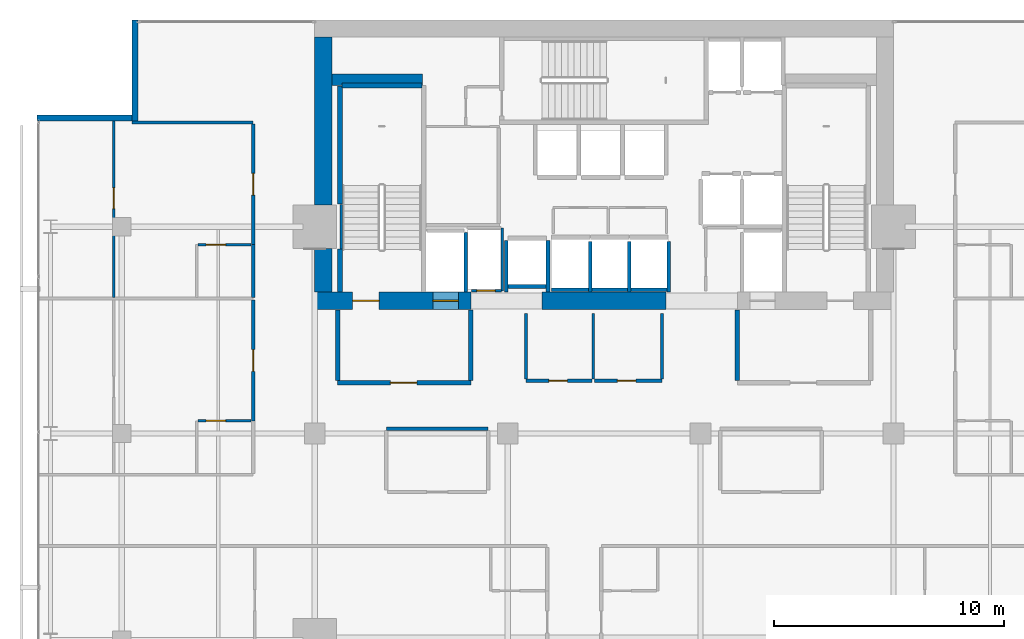
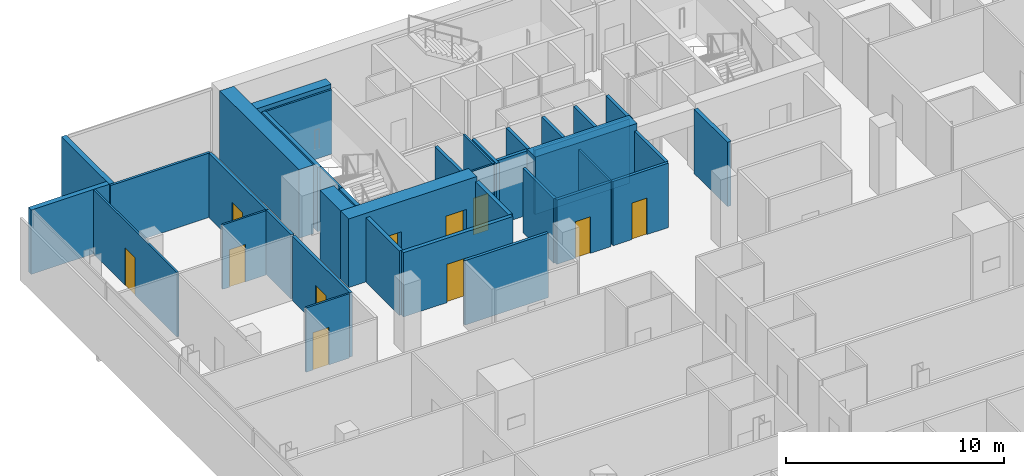
# One storey, part 29 of 34: 38 walls, 11 doors, 11 openings.
"""IFC4 building model written with IfcOpenShell, lengths in metres."""

from ifc_helpers import new_model, si_unit, direction, frame, frame_2d, origin, place, context, subcontext, project, spatial, rectangle, extrude, material, layer, layer_set, type_object, element, fill, save


model = new_model("IFC4")

# Units and contexts
model_context = context("Model", 3, precision=1e-05, world=origin(), true_north=direction((0.0, 1.0)))
body_context = subcontext(model_context, "Body", "Model", "MODEL_VIEW")
ifc_project = project(units=[si_unit("LENGTHUNIT", "METRE"), si_unit("AREAUNIT", "SQUARE_METRE"), si_unit("VOLUMEUNIT", "CUBIC_METRE"), si_unit("PLANEANGLEUNIT", "RADIAN"), si_unit("MASSUNIT", "GRAM", prefix="KILO")], contexts=[model_context])

# Site, building, storey
site_placement = place(None, origin())
site = spatial("IfcSite", under=ifc_project, at=site_placement, CompositionType="ELEMENT")
building_placement = place(site_placement, origin())
building = spatial("IfcBuilding", under=site, at=building_placement, Name="Maruvema Waterfront Hotel and Observation Tower", CompositionType="ELEMENT")
storey_placement = place(building_placement, frame((0.0, 0.0, 146.64990234375)))
storey = spatial("IfcBuildingStorey", under=building, at=storey_placement, Name="L35", CompositionType="ELEMENT", Elevation=146.64990234375)

# Wall, opening, door
ifc_material_1 = material(Name="Twin-stud acoustic gypsum drywall", Category="gypsum")
ifc_layer_1 = layer(ifc_material_1, 0.14990234375, Name="Acoustic Corridor and Suite Demising Wall 150 mm")
ifc_layer_set_1 = layer_set([ifc_layer_1], Name="Twin-stud acoustic gypsum drywall")
wall_type_1 = type_object("IfcWallType", Name="Acoustic Corridor and Suite Demising Wall 150 mm", PredefinedType="PARTITIONING", material=ifc_layer_set_1)
wall_1_placement = place(storey_placement, frame((34.39990234375, 38.300048828125, 0.0), z_axis=(0.0, 0.0, 1.0), x_axis=(1.0, 0.0, 0.0)))
wall_1 = element("IfcWall", 1, at=wall_1_placement, inside=storey, type_object=wall_type_1, Name="L35 Core Apron K2A South 022", PredefinedType="PARTITIONING", context=body_context, shape_type="SweptSolid", body=[
    extrude(rectangle(XDim=2.880126953125, YDim=0.14990234375, at=frame_2d((1.43994140625, 0.0))), origin(), (0.0, 0.0, 1.0), 3.610107421875),
])
opening_1_placement = place(wall_1_placement, frame((1.0, 0.0, 0.0)))
opening_1 = element("IfcOpeningElement", 2, at=opening_1_placement, cuts=wall_1, Name="Opening DR-080", PredefinedType="OPENING", context=body_context, shape_type="SweptSolid", body=[
    extrude(rectangle(XDim=0.800048828125, YDim=2.050048828125, at=frame_2d((0.39990234375, 1.02490234375))), frame((0.0, 0.0849609375, 0.0), z_axis=(0.0, -1.0, 0.0), x_axis=(1.0, 0.0, 0.0)), (0.0, 0.0, 1.0), 0.169921875),
])
ifc_material_2 = material(Name="Powder-coated steel access leaf", Category="steel")
door_type_1 = type_object("IfcDoorType", Name="Riser and Service Cupboard Door 800x2050 mm", OperationType="NOTDEFINED", PredefinedType="DOOR", material=ifc_material_2)
door_1_placement = place(opening_1_placement, frame((0.800048828125, 0.0, 0.0), z_axis=(0.0, 0.0, 1.0), x_axis=(-1.0, 0.0, 0.0)))
door_1 = element("IfcDoor", 3, at=door_1_placement, inside=storey, type_object=door_type_1, Name="L35 Core Ice Alcove Door", OperationType="SINGLE_SWING_RIGHT", OverallHeight=2.050048828125, OverallWidth=0.800048828125, PredefinedType="DOOR", context=body_context, shape_type="SweptSolid", body=[
    extrude(rectangle(XDim=0.800048828125, YDim=2.050048828125, at=frame_2d((0.39990234375, 1.02490234375))), frame((0.0, 0.02490234375, 0.0), z_axis=(0.0, -1.0, 0.0), x_axis=(1.0, 0.0, 0.0)), (0.0, 0.0, 1.0), 0.050048828125),
])
fill(opening_1, door_1)

wall_2_placement = place(storey_placement, frame((37.3798828125, 38.300048828125, 0.0), z_axis=(0.0, 0.0, 1.0), x_axis=(1.0, 0.0, 0.0)))
wall_2 = element("IfcWall", 4, at=wall_2_placement, inside=storey, type_object=wall_type_1, Name="L35 Core Apron K2B South 023", PredefinedType="PARTITIONING", context=body_context, shape_type="SweptSolid", body=[
    extrude(rectangle(XDim=2.940185546875, YDim=0.14990234375, at=frame_2d((1.47021484375, 0.0))), origin(), (0.0, 0.0, 1.0), 3.610107421875),
])
opening_2_placement = place(wall_2_placement, frame((1.0, 0.0, 0.0)))
opening_2 = element("IfcOpeningElement", 5, at=opening_2_placement, cuts=wall_2, Name="Opening DR-080", PredefinedType="OPENING", context=body_context, shape_type="SweptSolid", body=[
    extrude(rectangle(XDim=0.800048828125, YDim=2.050048828125, at=frame_2d((0.39990234375, 1.02490234375))), frame((0.0, 0.0849609375, 0.0), z_axis=(0.0, -1.0, 0.0), x_axis=(1.0, 0.0, 0.0)), (0.0, 0.0, 1.0), 0.169921875),
])
door_2_placement = place(opening_2_placement, frame((0.800048828125, 0.0, 0.0), z_axis=(0.0, 0.0, 1.0), x_axis=(-1.0, 0.0, 0.0)))
door_2 = element("IfcDoor", 6, at=door_2_placement, inside=storey, type_object=door_type_1, Name="L35 Core Valet Closet Door", OperationType="SINGLE_SWING_LEFT", OverallHeight=2.050048828125, OverallWidth=0.800048828125, PredefinedType="DOOR", context=body_context, shape_type="SweptSolid", body=[
    extrude(rectangle(XDim=0.800048828125, YDim=2.050048828125, at=frame_2d((0.39990234375, 1.02490234375))), frame((0.0, 0.02490234375, 0.0), z_axis=(0.0, -1.0, 0.0), x_axis=(1.0, 0.0, 0.0)), (0.0, 0.0, 1.0), 0.050048828125),
])
fill(opening_2, door_2)

# Walls
for number, where, z_axis, x_axis, name in (
    (7, (34.39990234375, 38.3798828125, 0.0), (0.0, 0.0, 1.0), (0.0, 1.0, 0.0), "L35 Core Apron K2 West 024"),
    (8, (40.320068359375, 38.3798828125, 0.0), (0.0, 0.0, 1.0), (0.0, 1.0, 0.0), "L35 Core Apron K2 East 026"),
):
    element("IfcWall", number, at=place(storey_placement, frame(where, z_axis=z_axis, x_axis=x_axis)), inside=storey, type_object=wall_type_1, Name=name, PredefinedType="PARTITIONING", context=body_context, shape_type="SweptSolid", body=[
        extrude(rectangle(XDim=2.840087890625, YDim=0.14990234375, at=frame_2d((1.419921875, 0.0))), origin(), (0.0, 0.0, 1.0), 3.610107421875),
    ])
wall_3_placement = place(storey_placement, frame((28.320068359375, 36.199951171875, 0.0), z_axis=(0.0, 0.0, 1.0), x_axis=(1.0, 0.0, 0.0)))
element("IfcWall", 9, at=wall_3_placement, inside=storey, type_object=wall_type_1, Name="L35 L35-M1 Back Wall 027", PredefinedType="PARTITIONING", context=body_context, shape_type="SweptSolid", body=[
    extrude(rectangle(XDim=4.429931640625, YDim=0.14990234375, at=frame_2d((2.21484375, 0.0))), origin(), (0.0, 0.0, 1.0), 3.610107421875),
])

# Wall, opening, door
wall_4_placement = place(storey_placement, frame((22.52001953125, 36.550048828125, 0.0), z_axis=(0.0, 0.0, 1.0), x_axis=(0.0, 1.0, 0.0)))
wall_4 = element("IfcWall", 10, at=wall_4_placement, inside=storey, type_object=wall_type_1, Name="L35 Room L35-NW1 Corridor Wall 107", PredefinedType="PARTITIONING", context=body_context, shape_type="SweptSolid", body=[
    extrude(rectangle(XDim=5.2587890625, YDim=0.14990234375, at=frame_2d((2.62939453125, 0.0))), origin(), (0.0, 0.0, 1.0), 3.610107421875),
])
opening_3_placement = place(wall_4_placement, frame((2.154296875, 0.0, 0.0)))
opening_3 = element("IfcOpeningElement", 11, at=opening_3_placement, cuts=wall_4, Name="Opening DR-095", PredefinedType="OPENING", context=body_context, shape_type="SweptSolid", body=[
    extrude(rectangle(XDim=0.949951171875, YDim=2.14990234375, at=frame_2d((0.47509765625, 1.074951171875))), frame((0.0, 0.0849609375, 0.0), z_axis=(0.0, -1.0, 0.0), x_axis=(1.0, 0.0, 0.0)), (0.0, 0.0, 1.0), 0.169921875),
])
ifc_material_3 = material(Name="Acoustic solid-core hardwood timber leaf", Category="wood")
door_type_2 = type_object("IfcDoorType", Name="Guestroom Entrance Fire Door 950x2150 mm", OperationType="NOTDEFINED", PredefinedType="DOOR", material=ifc_material_3)
door_3_placement = place(opening_3_placement, origin())
door_3 = element("IfcDoor", 12, at=door_3_placement, inside=storey, type_object=door_type_2, Name="L35 Room L35-NW1 Entrance Door", OperationType="SINGLE_SWING_LEFT", OverallHeight=2.14990234375, OverallWidth=0.949951171875, PredefinedType="DOOR", context=body_context, shape_type="SweptSolid", body=[
    extrude(rectangle(XDim=0.949951171875, YDim=2.14990234375, at=frame_2d((0.47509765625, 1.074951171875))), frame((0.0, 0.02490234375, 0.0), z_axis=(0.0, -1.0, 0.0), x_axis=(1.0, 0.0, 0.0)), (0.0, 0.0, 1.0), 0.050048828125),
])
fill(opening_3, door_3)

# Wall
wall_5_placement = place(storey_placement, frame((22.52001953125, 41.9287109375, 0.0), z_axis=(0.0, 0.0, 1.0), x_axis=(0.0, 1.0, 0.0)))
element("IfcWall", 13, at=wall_5_placement, inside=storey, type_object=wall_type_1, Name="L35 Bath L35-NW2 Wall 118", PredefinedType="PARTITIONING", context=body_context, shape_type="SweptSolid", body=[
    extrude(rectangle(XDim=2.2900390625, YDim=0.14990234375, at=frame_2d((1.14501953125, 0.0))), origin(), (0.0, 0.0, 1.0), 3.610107421875),
])

# Wall, opening, door
wall_6_placement = place(storey_placement, frame((22.52001953125, 44.21875, 0.0), z_axis=(0.0, 0.0, 1.0), x_axis=(0.0, 1.0, 0.0)))
wall_6 = element("IfcWall", 14, at=wall_6_placement, inside=storey, type_object=wall_type_1, Name="L35 Room L35-NW2 Corridor Wall 119", PredefinedType="PARTITIONING", context=body_context, shape_type="SweptSolid", body=[
    extrude(rectangle(XDim=5.2587890625, YDim=0.14990234375, at=frame_2d((2.62939453125, 0.0))), origin(), (0.0, 0.0, 1.0), 3.610107421875),
])
opening_4_placement = place(wall_6_placement, frame((2.154296875, 0.0, 0.0)))
opening_4 = element("IfcOpeningElement", 15, at=opening_4_placement, cuts=wall_6, Name="Opening DR-095", PredefinedType="OPENING", context=body_context, shape_type="SweptSolid", body=[
    extrude(rectangle(XDim=0.949951171875, YDim=2.14990234375, at=frame_2d((0.47509765625, 1.074951171875))), frame((0.0, 0.0849609375, 0.0), z_axis=(0.0, -1.0, 0.0), x_axis=(1.0, 0.0, 0.0)), (0.0, 0.0, 1.0), 0.169921875),
])
door_4_placement = place(opening_4_placement, origin())
door_4 = element("IfcDoor", 16, at=door_4_placement, inside=storey, type_object=door_type_2, Name="L35 Room L35-NW2 Entrance Door", OperationType="SINGLE_SWING_LEFT", OverallHeight=2.14990234375, OverallWidth=0.949951171875, PredefinedType="DOOR", context=body_context, shape_type="SweptSolid", body=[
    extrude(rectangle(XDim=0.949951171875, YDim=2.14990234375, at=frame_2d((0.47509765625, 1.074951171875))), frame((0.0, 0.02490234375, 0.0), z_axis=(0.0, -1.0, 0.0), x_axis=(1.0, 0.0, 0.0)), (0.0, 0.0, 1.0), 0.050048828125),
])
fill(opening_4, door_4)

# Walls
ifc_material_4 = material(Name="Precast concrete C45/55", Category="concrete")
ifc_layer_2 = layer(ifc_material_4, 0.199951171875, Name="Core Shaft and Stairwell Enclosure Wall 200 mm")
ifc_layer_set_2 = layer_set([ifc_layer_2], Name="Precast concrete C45/55")
wall_type_2 = type_object("IfcWallType", Name="Core Shaft and Stairwell Enclosure Wall 200 mm", PredefinedType="SOLIDWALL", material=ifc_layer_set_2)
wall_7_placement = place(storey_placement, frame((26.300048828125, 42.14990234375, 0.0), z_axis=(0.0, 0.0, 1.0), x_axis=(0.0, 1.0, 0.0)))
element("IfcWall", 17, at=wall_7_placement, inside=storey, type_object=wall_type_2, Name="L35 Stairwell ST-01 Shaft Lining Wall", PredefinedType="SOLIDWALL", context=body_context, shape_type="SweptSolid", body=[
    extrude(rectangle(XDim=1.8701171875, YDim=0.199951171875, at=frame_2d((0.93505859375, 0.0))), origin(), (0.0, 0.0, 1.0), 3.610107421875),
])
wall_8_placement = place(storey_placement, frame((26.300048828125, 45.97998046875, 0.0), z_axis=(0.0, 0.0, 1.0), x_axis=(0.0, 1.0, 0.0)))
element("IfcWall", 18, at=wall_8_placement, inside=storey, type_object=wall_type_2, Name="L35 Stairwell ST-01 Shaft Lining Wall", PredefinedType="SOLIDWALL", context=body_context, shape_type="SweptSolid", body=[
    extrude(rectangle(XDim=5.14013671875, YDim=0.199951171875, at=frame_2d((2.570068359375, 0.0))), origin(), (0.0, 0.0, 1.0), 3.610107421875),
])
wall_9_placement = place(storey_placement, frame((26.3798828125, 51.14990234375, 0.0), z_axis=(0.0, 0.0, 1.0), x_axis=(1.0, 0.0, 0.0)))
element("IfcWall", 19, at=wall_9_placement, inside=storey, type_object=wall_type_2, Name="L35 Stairwell ST-01 Shaft Lining Wall", PredefinedType="SOLIDWALL", context=body_context, shape_type="SweptSolid", body=[
    extrude(rectangle(XDim=3.5, YDim=0.199951171875, at=frame_2d((1.75, 0.0))), origin(), (0.0, 0.0, 1.0), 3.610107421875),
])
ifc_material_5 = material(Name="Concrete C70/85", Category="concrete")
ifc_layer_3 = layer(ifc_material_5, 0.5, Name="Core Shear Wall 500 mm")
ifc_layer_set_3 = layer_set([ifc_layer_3], Name="Concrete C70/85")
wall_type_3 = type_object("IfcWallType", Name="Core Shear Wall 500 mm", PredefinedType="SHEAR", material=ifc_layer_set_3)
wall_10_placement = place(storey_placement, frame((25.949951171875, 51.39990234375, 0.0), z_axis=(0.0, 0.0, 1.0), x_axis=(1.0, 0.0, 0.0)))
element("IfcWall", 20, at=wall_10_placement, inside=storey, type_object=wall_type_3, Name="L35 Internal Core Shear Wall NW 500 mm", PredefinedType="SHEAR", context=body_context, shape_type="SweptSolid", body=[
    extrude(rectangle(XDim=3.949951171875, YDim=0.5, at=frame_2d((1.97509765625, 0.0))), origin(), (0.0, 0.0, 1.0), 3.85009765625),
])

# Wall, openings, doors
ifc_material_6 = material(Name="Concrete C70/85", Category="concrete")
ifc_layer_4 = layer(ifc_material_6, 0.75, Name="Core Shear Wall 750 mm")
ifc_layer_set_4 = layer_set([ifc_layer_4], Name="Concrete C70/85")
wall_type_4 = type_object("IfcWallType", Name="Core Shear Wall 750 mm", PredefinedType="SHEAR", material=ifc_layer_set_4)
wall_11_placement = place(storey_placement, frame((25.199951171875, 41.77490234375, 0.0), z_axis=(0.0, 0.0, 1.0), x_axis=(1.0, 0.0, 0.0)))
wall_11 = element("IfcWall", 21, at=wall_11_placement, inside=storey, type_object=wall_type_4, Name="L35 South-West Core Shear Wall", PredefinedType="SHEAR", context=body_context, shape_type="SweptSolid", body=[
    extrude(rectangle(XDim=6.800048828125, YDim=0.75, at=frame_2d((3.39990234375, 0.0))), origin(), (0.0, 0.0, 1.0), 3.85009765625),
])
opening_5_placement = place(wall_11_placement, frame((1.64990234375, 0.0, 0.0)))
opening_5 = element("IfcOpeningElement", 22, at=opening_5_placement, cuts=wall_11, Name="Opening SD-01", PredefinedType="OPENING", context=body_context, shape_type="SweptSolid", body=[
    extrude(rectangle(XDim=1.14990234375, YDim=2.14990234375, at=frame_2d((0.574951171875, 1.074951171875))), frame((0.0, 0.385009765625, 0.0), z_axis=(0.0, -1.0, 0.0), x_axis=(1.0, 0.0, 0.0)), (0.0, 0.0, 1.0), 0.77001953125),
])
opening_6_placement = place(wall_11_placement, frame((5.14990234375, 0.0, 0.0)))
opening_6 = element("IfcOpeningElement", 23, at=opening_6_placement, cuts=wall_11, Name="Opening LD-03", PredefinedType="OPENING", context=body_context, shape_type="SweptSolid", body=[
    extrude(rectangle(XDim=1.10009765625, YDim=2.199951171875, at=frame_2d((0.550048828125, 1.10009765625))), frame((0.0, 0.385009765625, 0.0), z_axis=(0.0, -1.0, 0.0), x_axis=(1.0, 0.0, 0.0)), (0.0, 0.0, 1.0), 0.77001953125),
])
ifc_material_7 = material(Name="Fire-rated galvanised steel leaf", Category="steel")
door_type_3 = type_object("IfcDoorType", Name="Exit Stair Fire Door 1150x2150 mm", OperationType="NOTDEFINED", PredefinedType="DOOR", material=ifc_material_7)
door_5_placement = place(opening_5_placement, origin())
door_5 = element("IfcDoor", 24, at=door_5_placement, inside=storey, type_object=door_type_3, Name="L35 Exit Stair ST-01 Fire Door", OperationType="SINGLE_SWING_LEFT", OverallHeight=2.14990234375, OverallWidth=1.14990234375, PredefinedType="DOOR", context=body_context, shape_type="SweptSolid", body=[
    extrude(rectangle(XDim=1.14990234375, YDim=2.14990234375, at=frame_2d((0.574951171875, 1.074951171875))), frame((0.0, 0.02490234375, 0.0), z_axis=(0.0, -1.0, 0.0), x_axis=(1.0, 0.0, 0.0)), (0.0, 0.0, 1.0), 0.050048828125),
])
fill(opening_5, door_5)
ifc_material_8 = material(Name="Brushed stainless steel Grade 316", Category="steel")
door_type_4 = type_object("IfcDoorType", Name="Firefighting Lift Sliding Landing Door 1100x2200 mm", OperationType="SLIDING_TO_LEFT", PredefinedType="DOOR", material=ifc_material_8)
door_6_placement = place(opening_6_placement, frame((1.10009765625, 0.0, 0.0), z_axis=(0.0, 0.0, 1.0), x_axis=(-1.0, 0.0, 0.0)))
door_6 = element("IfcDoor", 25, at=door_6_placement, inside=storey, type_object=door_type_4, Name="L35 Firefighting Lift FL-01 Landing Door", OperationType="SLIDING_TO_LEFT", OverallHeight=2.199951171875, OverallWidth=1.10009765625, PredefinedType="DOOR", context=body_context, shape_type="SweptSolid", body=[
    extrude(rectangle(XDim=1.10009765625, YDim=2.199951171875, at=frame_2d((0.550048828125, 1.10009765625))), frame((0.0, 0.02490234375, 0.0), z_axis=(0.0, -1.0, 0.0), x_axis=(1.0, 0.0, 0.0)), (0.0, 0.0, 1.0), 0.050048828125),
])
fill(opening_6, door_6)

# Walls
wall_12_placement = place(storey_placement, frame((35.10009765625, 41.77490234375, 0.0), z_axis=(0.0, 0.0, 1.0), x_axis=(1.0, 0.0, 0.0)))
element("IfcWall", 26, at=wall_12_placement, inside=storey, type_object=wall_type_4, Name="L35 South-Central Core Shear Wall", PredefinedType="SHEAR", context=body_context, shape_type="SweptSolid", body=[
    extrude(rectangle(XDim=5.39990234375, YDim=0.75, at=frame_2d((2.699951171875, 0.0))), origin(), (0.0, 0.0, 1.0), 3.85009765625),
])
wall_13_placement = place(storey_placement, frame((25.574951171875, 42.14990234375, 0.0), z_axis=(0.0, 0.0, 1.0), x_axis=(0.0, 1.0, 0.0)))
element("IfcWall", 27, at=wall_13_placement, inside=storey, type_object=wall_type_4, Name="L35 West-South Core Shear Wall", PredefinedType="SHEAR", context=body_context, shape_type="SweptSolid", body=[
    extrude(rectangle(XDim=1.900146484375, YDim=0.75, at=frame_2d((0.9501953125, 0.0))), origin(), (0.0, 0.0, 1.0), 3.85009765625),
])
wall_14_placement = place(storey_placement, frame((25.574951171875, 45.949951171875, 0.0), z_axis=(0.0, 0.0, 1.0), x_axis=(0.0, 1.0, 0.0)))
element("IfcWall", 28, at=wall_14_placement, inside=storey, type_object=wall_type_4, Name="L35 West-North Core Shear Wall", PredefinedType="SHEAR", context=body_context, shape_type="SweptSolid", body=[
    extrude(rectangle(XDim=7.300048828125, YDim=0.75, at=frame_2d((3.64990234375, 0.0))), origin(), (0.0, 0.0, 1.0), 3.85009765625),
])

# Wall, opening, door
ifc_material_9 = material(Name="Moisture-resistant cement-board drywall", Category="gypsum")
ifc_layer_5 = layer(ifc_material_9, 0.10009765625, Name="En-Suite Moisture-Resistant Partition 100 mm")
ifc_layer_set_5 = layer_set([ifc_layer_5], Name="Moisture-resistant cement-board drywall")
wall_type_5 = type_object("IfcWallType", Name="En-Suite Moisture-Resistant Partition 100 mm", PredefinedType="PARTITIONING", material=ifc_layer_set_5)
wall_15_placement = place(storey_placement, frame((32.02001953125, 42.2099609375, 0.0), z_axis=(0.0, 0.0, 1.0), x_axis=(1.0, 0.0, 0.0)))
wall_15 = element("IfcWall", 29, at=wall_15_placement, inside=storey, type_object=wall_type_5, Name="L35 Telecom Riser South Wall 007", PredefinedType="PARTITIONING", context=body_context, shape_type="SweptSolid", body=[
    extrude(rectangle(XDim=1.320068359375, YDim=0.10009765625, at=frame_2d((0.66015625, 0.0))), origin(), (0.0, 0.0, 1.0), 3.610107421875),
])
opening_7_placement = place(wall_15_placement, frame((0.239990234375, 0.0, 0.0)))
opening_7 = element("IfcOpeningElement", 30, at=opening_7_placement, cuts=wall_15, Name="Opening DR-080", PredefinedType="OPENING", context=body_context, shape_type="SweptSolid", body=[
    extrude(rectangle(XDim=0.800048828125, YDim=2.050048828125, at=frame_2d((0.39990234375, 1.02490234375))), frame((0.0, 0.06005859375, 0.0), z_axis=(0.0, -1.0, 0.0), x_axis=(1.0, 0.0, 0.0)), (0.0, 0.0, 1.0), 0.1201171875),
])
door_7_placement = place(opening_7_placement, frame((0.800048828125, 0.0, 0.0), z_axis=(0.0, 0.0, 1.0), x_axis=(-1.0, 0.0, 0.0)))
door_7 = element("IfcDoor", 31, at=door_7_placement, inside=storey, type_object=door_type_1, Name="L35 Telecom Riser Door", OperationType="SINGLE_SWING_RIGHT", OverallHeight=2.050048828125, OverallWidth=0.800048828125, PredefinedType="DOOR", context=body_context, shape_type="SweptSolid", body=[
    extrude(rectangle(XDim=0.800048828125, YDim=2.050048828125, at=frame_2d((0.39990234375, 1.02490234375))), frame((0.0, 0.02490234375, 0.0), z_axis=(0.0, -1.0, 0.0), x_axis=(1.0, 0.0, 0.0)), (0.0, 0.0, 1.0), 0.050048828125),
])
fill(opening_7, door_7)

# Walls
wall_16_placement = place(storey_placement, frame((33.360107421875, 42.2099609375, 0.0), z_axis=(0.0, 0.0, 1.0), x_axis=(0.0, 1.0, 0.0)))
element("IfcWall", 32, at=wall_16_placement, inside=storey, type_object=wall_type_5, Name="L35 Telecom Riser East Wall 009", PredefinedType="PARTITIONING", context=body_context, shape_type="SweptSolid", body=[
    extrude(rectangle(XDim=2.72998046875, YDim=0.10009765625, at=frame_2d((1.364990234375, 0.0))), origin(), (0.0, 0.0, 1.0), 3.610107421875),
])
wall_17_placement = place(storey_placement, frame((37.330078125, 38.3798828125, 0.0), z_axis=(0.0, 0.0, 1.0), x_axis=(0.0, 1.0, 0.0)))
element("IfcWall", 33, at=wall_17_placement, inside=storey, type_object=wall_type_5, Name="L35 Core Apron K2 Split 025", PredefinedType="PARTITIONING", context=body_context, shape_type="SweptSolid", body=[
    extrude(rectangle(XDim=2.840087890625, YDim=0.10009765625, at=frame_2d((1.419921875, 0.0))), origin(), (0.0, 0.0, 1.0), 3.610107421875),
])

# Wall, opening, door
wall_18_placement = place(storey_placement, frame((20.1201171875, 36.550048828125, 0.0), z_axis=(0.0, 0.0, 1.0), x_axis=(1.0, 0.0, 0.0)))
wall_18 = element("IfcWall", 34, at=wall_18_placement, inside=storey, type_object=wall_type_5, Name="L35 En-Suite L35-NW1 N 109", PredefinedType="PARTITIONING", context=body_context, shape_type="SweptSolid", body=[
    extrude(rectangle(XDim=2.2998046875, YDim=0.10009765625, at=frame_2d((1.14990234375, 0.0))), origin(), (0.0, 0.0, 1.0), 3.610107421875),
])
opening_8_placement = place(wall_18_placement, frame((0.35009765625, 0.0, 0.0)))
opening_8 = element("IfcOpeningElement", 35, at=opening_8_placement, cuts=wall_18, Name="Opening DR-085", PredefinedType="OPENING", context=body_context, shape_type="SweptSolid", body=[
    extrude(rectangle(XDim=0.85009765625, YDim=2.10009765625, at=frame_2d((0.425048828125, 1.050048828125))), frame((0.0, 0.06005859375, 0.0), z_axis=(0.0, -1.0, 0.0), x_axis=(1.0, 0.0, 0.0)), (0.0, 0.0, 1.0), 0.1201171875),
])
ifc_material_10 = material(Name="Moisture-resistant solid timber leaf", Category="wood")
door_type_5 = type_object("IfcDoorType", Name="En-Suite Bathroom Door 850x2100 mm", OperationType="NOTDEFINED", PredefinedType="DOOR", material=ifc_material_10)
door_8_placement = place(opening_8_placement, origin())
door_8 = element("IfcDoor", 36, at=door_8_placement, inside=storey, type_object=door_type_5, Name="L35 En-Suite L35-NW1 Door", OperationType="SINGLE_SWING_RIGHT", OverallHeight=2.10009765625, OverallWidth=0.85009765625, PredefinedType="DOOR", context=body_context, shape_type="SweptSolid", body=[
    extrude(rectangle(XDim=0.85009765625, YDim=2.10009765625, at=frame_2d((0.425048828125, 1.050048828125))), frame((0.0, 0.02490234375, 0.0), z_axis=(0.0, -1.0, 0.0), x_axis=(1.0, 0.0, 0.0)), (0.0, 0.0, 1.0), 0.050048828125),
])
fill(opening_8, door_8)

wall_19_placement = place(storey_placement, frame((20.1201171875, 44.21875, 0.0), z_axis=(0.0, 0.0, 1.0), x_axis=(1.0, 0.0, 0.0)))
wall_19 = element("IfcWall", 37, at=wall_19_placement, inside=storey, type_object=wall_type_5, Name="L35 En-Suite L35-NW2 N 121", PredefinedType="PARTITIONING", context=body_context, shape_type="SweptSolid", body=[
    extrude(rectangle(XDim=2.2998046875, YDim=0.10009765625, at=frame_2d((1.14990234375, 0.0))), origin(), (0.0, 0.0, 1.0), 3.610107421875),
])
opening_9_placement = place(wall_19_placement, frame((0.35009765625, 0.0, 0.0)))
opening_9 = element("IfcOpeningElement", 38, at=opening_9_placement, cuts=wall_19, Name="Opening DR-085", PredefinedType="OPENING", context=body_context, shape_type="SweptSolid", body=[
    extrude(rectangle(XDim=0.85009765625, YDim=2.10009765625, at=frame_2d((0.425048828125, 1.050048828125))), frame((0.0, 0.06005859375, 0.0), z_axis=(0.0, -1.0, 0.0), x_axis=(1.0, 0.0, 0.0)), (0.0, 0.0, 1.0), 0.1201171875),
])
door_9_placement = place(opening_9_placement, origin())
door_9 = element("IfcDoor", 39, at=door_9_placement, inside=storey, type_object=door_type_5, Name="L35 En-Suite L35-NW2 Door", OperationType="SINGLE_SWING_RIGHT", OverallHeight=2.10009765625, OverallWidth=0.85009765625, PredefinedType="DOOR", context=body_context, shape_type="SweptSolid", body=[
    extrude(rectangle(XDim=0.85009765625, YDim=2.10009765625, at=frame_2d((0.425048828125, 1.050048828125))), frame((0.0, 0.02490234375, 0.0), z_axis=(0.0, -1.0, 0.0), x_axis=(1.0, 0.0, 0.0)), (0.0, 0.0, 1.0), 0.050048828125),
])
fill(opening_9, door_9)

wall_20_placement = place(storey_placement, frame((16.445556640625, 41.9287109375, 0.0), z_axis=(0.0, 0.0, 1.0), x_axis=(0.0, 1.0, 0.0)))
wall_20 = element("IfcWall", 40, at=wall_20_placement, inside=storey, type_object=wall_type_5, Name="L35 Suite L35-NW2 Split 122", PredefinedType="PARTITIONING", context=body_context, shape_type="SweptSolid", body=[
    extrude(rectangle(XDim=7.668701171875, YDim=0.10009765625, at=frame_2d((3.83447265625, 0.0))), origin(), (0.0, 0.0, 1.0), 3.610107421875),
])
opening_10_placement = place(wall_20_placement, frame((3.8642578125, 0.0, 0.0)))
opening_10 = element("IfcOpeningElement", 41, at=opening_10_placement, cuts=wall_20, Name="Opening DR-090", PredefinedType="OPENING", context=body_context, shape_type="SweptSolid", body=[
    extrude(rectangle(XDim=0.89990234375, YDim=2.10009765625, at=frame_2d((0.449951171875, 1.050048828125))), frame((0.0, 0.06005859375, 0.0), z_axis=(0.0, -1.0, 0.0), x_axis=(1.0, 0.0, 0.0)), (0.0, 0.0, 1.0), 0.1201171875),
])
ifc_material_11 = material(Name="Solid-core lacquered timber leaf", Category="wood")
door_type_6 = type_object("IfcDoorType", Name="Accessible Toilet and Room Door 900x2100 mm", OperationType="NOTDEFINED", PredefinedType="DOOR", material=ifc_material_11)
door_10_placement = place(opening_10_placement, origin())
door_10 = element("IfcDoor", 42, at=door_10_placement, inside=storey, type_object=door_type_6, Name="L35 Suite L35-NW2 Bedroom Door", OperationType="SINGLE_SWING_RIGHT", OverallHeight=2.10009765625, OverallWidth=0.89990234375, PredefinedType="DOOR", context=body_context, shape_type="SweptSolid", body=[
    extrude(rectangle(XDim=0.89990234375, YDim=2.10009765625, at=frame_2d((0.449951171875, 1.050048828125))), frame((0.0, 0.02490234375, 0.0), z_axis=(0.0, -1.0, 0.0), x_axis=(1.0, 0.0, 0.0)), (0.0, 0.0, 1.0), 0.050048828125),
])
fill(opening_10, door_10)

# Walls
ifc_material_12 = material(Name="Precast concrete C45/55 with honed Pernambuco granite facing", Category="masonry")
ifc_layer_6 = layer(ifc_material_12, 0.260009765625, Name="Exterior Granite Clad Spandrel and Pier Wall 260 mm")
ifc_layer_set_6 = layer_set([ifc_layer_6], Name="Precast concrete C45/55 with honed Pernambuco granite facing")
wall_type_6 = type_object("IfcWallType", Name="Exterior Granite Clad Spandrel and Pier Wall 260 mm", PredefinedType="SOLIDWALL", material=ifc_layer_set_6)
for number, where, z_axis, x_axis, name in (
    (43, (17.3701171875, 49.60009765625, 0.0), (0.0, 0.0, 1.0), (0.0, 1.0, 0.0), "L35 Corner Notch Granite Pier Wall NW1"),
    (44, (13.10009765625, 49.72998046875, 0.0), (0.0, 0.0, 1.0), (1.0, 0.0, 0.0), "L35 Corner Notch Granite Pier Wall NW2"),
):
    element("IfcWall", number, at=place(storey_placement, frame(where, z_axis=z_axis, x_axis=x_axis)), inside=storey, type_object=wall_type_6, Name=name, PredefinedType="SOLIDWALL", context=body_context, shape_type="SweptSolid", body=[
        extrude(rectangle(XDim=4.39990234375, YDim=0.260009765625, at=frame_2d((2.199951171875, 0.0))), origin(), (0.0, 0.0, 1.0), 3.610107421875),
    ])

# Wall, opening, door
ifc_material_13 = material(Name="Autoclaved cellular concrete blockwork", Category="masonry")
ifc_layer_7 = layer(ifc_material_13, 0.199951171875, Name="Fire Compartment Masonry Wall 200 mm")
ifc_layer_set_7 = layer_set([ifc_layer_7], Name="Autoclaved cellular concrete blockwork")
wall_type_7 = type_object("IfcWallType", Name="Fire Compartment Masonry Wall 200 mm", PredefinedType="PARTITIONING", material=ifc_layer_set_7)
wall_21_placement = place(storey_placement, frame((26.199951171875, 38.199951171875, 0.0), z_axis=(0.0, 0.0, 1.0), x_axis=(1.0, 0.0, 0.0)))
wall_21 = element("IfcWall", 45, at=wall_21_placement, inside=storey, type_object=wall_type_7, Name="L35 FFL West South Wall 001", PredefinedType="PARTITIONING", context=body_context, shape_type="SweptSolid", body=[
    extrude(rectangle(XDim=5.800048828125, YDim=0.199951171875, at=frame_2d((2.89990234375, 0.0))), origin(), (0.0, 0.0, 1.0), 3.610107421875),
])
opening_11_placement = place(wall_21_placement, frame((2.300048828125, 0.0, 0.0)))
opening_11 = element("IfcOpeningElement", 46, at=opening_11_placement, cuts=wall_21, Name="Opening FD-115", PredefinedType="OPENING", context=body_context, shape_type="SweptSolid", body=[
    extrude(rectangle(XDim=1.14990234375, YDim=2.14990234375, at=frame_2d((0.574951171875, 1.074951171875))), frame((0.0, 0.10986328125, 0.0), z_axis=(0.0, -1.0, 0.0), x_axis=(1.0, 0.0, 0.0)), (0.0, 0.0, 1.0), 0.219970703125),
])
ifc_material_14 = material(Name="Fire-rated galvanised steel and vision glass", Category="steel")
door_type_7 = type_object("IfcDoorType", Name="Firefighting Lobby Fire Door 1150x2150 mm", OperationType="NOTDEFINED", PredefinedType="DOOR", material=ifc_material_14)
door_11_placement = place(opening_11_placement, frame((1.14990234375, 0.0, 0.0), z_axis=(0.0, 0.0, 1.0), x_axis=(-1.0, 0.0, 0.0)))
door_11 = element("IfcDoor", 47, at=door_11_placement, inside=storey, type_object=door_type_7, Name="L35 Firefighting Lobby West Door", OperationType="SINGLE_SWING_RIGHT", OverallHeight=2.14990234375, OverallWidth=1.14990234375, PredefinedType="DOOR", context=body_context, shape_type="SweptSolid", body=[
    extrude(rectangle(XDim=1.14990234375, YDim=2.14990234375, at=frame_2d((0.574951171875, 1.074951171875))), frame((0.0, 0.02490234375, 0.0), z_axis=(0.0, -1.0, 0.0), x_axis=(1.0, 0.0, 0.0)), (0.0, 0.0, 1.0), 0.050048828125),
])
fill(opening_11, door_11)

# Walls
for number, where, z_axis, x_axis, name in (
    (48, (26.199951171875, 38.31005859375, 0.0), (0.0, 0.0, 1.0), (0.0, 1.0, 0.0), "L35 FFL West West Wall 002"),
    (49, (32.0, 38.31005859375, 0.0), (0.0, 0.0, 1.0), (0.0, 1.0, 0.0), "L35 FFL West East Wall 003"),
    (50, (43.60009765625, 38.31005859375, 0.0), (0.0, 0.0, 1.0), (0.0, 1.0, 0.0), "L35 FFL East West Wall 005"),
):
    element("IfcWall", number, at=place(storey_placement, frame(where, z_axis=z_axis, x_axis=x_axis)), inside=storey, type_object=wall_type_7, Name=name, PredefinedType="PARTITIONING", context=body_context, shape_type="SweptSolid", body=[
        extrude(rectangle(XDim=3.06982421875, YDim=0.199951171875, at=frame_2d((1.534912109375, 0.0))), origin(), (0.0, 0.0, 1.0), 3.610107421875),
    ])
ifc_material_15 = material(Name="Acoustic gypsum plasterboard drywall", Category="gypsum")
ifc_layer_8 = layer(ifc_material_15, 0.125, Name="Guestroom Acoustic Demising Wall 125 mm")
ifc_layer_set_8 = layer_set([ifc_layer_8], Name="Acoustic gypsum plasterboard drywall")
wall_type_8 = type_object("IfcWallType", Name="Guestroom Acoustic Demising Wall 125 mm", PredefinedType="PARTITIONING", material=ifc_layer_set_8)
wall_22_placement = place(storey_placement, frame((17.239990234375, 49.53759765625, 0.0), z_axis=(0.0, 0.0, 1.0), x_axis=(1.0, 0.0, 0.0)))
element("IfcWall", 51, at=wall_22_placement, inside=storey, type_object=wall_type_8, Name="L35 Z2 NW Top End 104", PredefinedType="PARTITIONING", context=body_context, shape_type="SweptSolid", body=[
    extrude(rectangle(XDim=5.280029296875, YDim=0.125, at=frame_2d((2.64013671875, 0.0))), origin(), (0.0, 0.0, 1.0), 3.610107421875),
])
ifc_material_16 = material(Name="Precast concrete C45/55", Category="concrete")
ifc_layer_9 = layer(ifc_material_16, 0.159912109375, Name="Lift Hoistway Divider Wall 160 mm")
ifc_layer_set_9 = layer_set([ifc_layer_9], Name="Precast concrete C45/55")
wall_type_9 = type_object("IfcWallType", Name="Lift Hoistway Divider Wall 160 mm", PredefinedType="SOLIDWALL", material=ifc_layer_set_9)
wall_23_placement = place(storey_placement, frame((31.780029296875, 42.14990234375, 0.0), z_axis=(0.0, 0.0, 1.0), x_axis=(0.0, 1.0, 0.0)))
element("IfcWall", 52, at=wall_23_placement, inside=storey, type_object=wall_type_9, Name="L35 Lift FL-01 Inner Hoistway Wall", PredefinedType="SOLIDWALL", context=body_context, shape_type="SweptSolid", body=[
    extrude(rectangle(XDim=2.590087890625, YDim=0.159912109375, at=frame_2d((1.294921875, 0.0))), origin(), (0.0, 0.0, 1.0), 3.610107421875),
])
for number, where, z_axis, x_axis, name in (
    (53, (37.199951171875, 42.14990234375, 0.0), (0.0, 0.0, 1.0), (0.0, 1.0, 0.0), "L35 Hoistway Divider Wall"),
    (54, (38.89990234375, 42.14990234375, 0.0), (0.0, 0.0, 1.0), (0.0, 1.0, 0.0), "L35 Hoistway Divider Wall"),
    (55, (40.6201171875, 42.14990234375, 0.0), (0.0, 0.0, 1.0), (0.0, 1.0, 0.0), "L35 Hoistway Divider Wall"),
):
    element("IfcWall", number, at=place(storey_placement, frame(where, z_axis=z_axis, x_axis=x_axis)), inside=storey, type_object=wall_type_9, Name=name, PredefinedType="SOLIDWALL", context=body_context, shape_type="SweptSolid", body=[
        extrude(rectangle(XDim=2.2001953125, YDim=0.159912109375, at=frame_2d((1.10009765625, 0.0))), origin(), (0.0, 0.0, 1.0), 3.610107421875),
    ])
wall_24_placement = place(storey_placement, frame((35.52001953125, 42.260009765625, 0.0), z_axis=(0.0, 0.0, 1.0), x_axis=(1.0, 0.0, 0.0)))
element("IfcWall", 56, at=wall_24_placement, inside=storey, type_object=wall_type_9, Name="L35 Hoistway Divider Wall", PredefinedType="SOLIDWALL", context=body_context, shape_type="SweptSolid", body=[
    extrude(rectangle(XDim=5.02001953125, YDim=0.159912109375, at=frame_2d((2.510009765625, 0.0))), origin(), (0.0, 0.0, 1.0), 3.610107421875),
])
for number, where, z_axis, x_axis, name in (
    (57, (33.5400390625, 42.14990234375, 0.0), (0.0, 0.0, 1.0), (0.0, 1.0, 0.0), "L35 Hoistway Divider Wall"),
    (58, (35.360107421875, 42.14990234375, 0.0), (0.0, 0.0, 1.0), (0.0, 1.0, 0.0), "L35 Hoistway Divider Wall"),
):
    element("IfcWall", number, at=place(storey_placement, frame(where, z_axis=z_axis, x_axis=x_axis)), inside=storey, type_object=wall_type_9, Name=name, PredefinedType="SOLIDWALL", context=body_context, shape_type="SweptSolid", body=[
        extrude(rectangle(XDim=2.25, YDim=0.159912109375, at=frame_2d((1.125, 0.0))), origin(), (0.0, 0.0, 1.0), 3.610107421875),
    ])
wall_25_placement = place(storey_placement, frame((33.6201171875, 42.39990234375, 0.0), z_axis=(0.0, 0.0, 1.0), x_axis=(1.0, 0.0, 0.0)))
element("IfcWall", 59, at=wall_25_placement, inside=storey, type_object=wall_type_9, Name="L35 Hoistway Divider Wall", PredefinedType="SOLIDWALL", context=body_context, shape_type="SweptSolid", body=[
    extrude(rectangle(XDim=1.659912109375, YDim=0.159912109375, at=frame_2d((0.830078125, 0.0))), origin(), (0.0, 0.0, 1.0), 3.610107421875),
])
ifc_material_17 = material(Name="Precast concrete C45/55", Category="concrete")
ifc_layer_10 = layer(ifc_material_17, 0.10009765625, Name="Stairwell Stringer Cheek Wall 100 mm")
ifc_layer_set_10 = layer_set([ifc_layer_10], Name="Precast concrete C45/55")
wall_type_10 = type_object("IfcWallType", Name="Stairwell Stringer Cheek Wall 100 mm", PredefinedType="SOLIDWALL", material=ifc_layer_set_10)
wall_26_placement = place(storey_placement, frame((26.35205078125, 44.0400390625, 0.0), z_axis=(0.0, 0.0, 1.0), x_axis=(0.0, 1.0, 0.0)))
element("IfcWall", 60, at=wall_26_placement, inside=storey, type_object=wall_type_10, Name="L35 Stairwell ST-01 Mega-Column Cheek Wall", PredefinedType="SOLIDWALL", context=body_context, shape_type="SweptSolid", body=[
    extrude(rectangle(XDim=1.919921875, YDim=0.10009765625, at=frame_2d((0.9599609375, 0.0))), origin(), (0.0, 0.0, 1.0), 3.610107421875),
])

save(model, "model.ifc")
